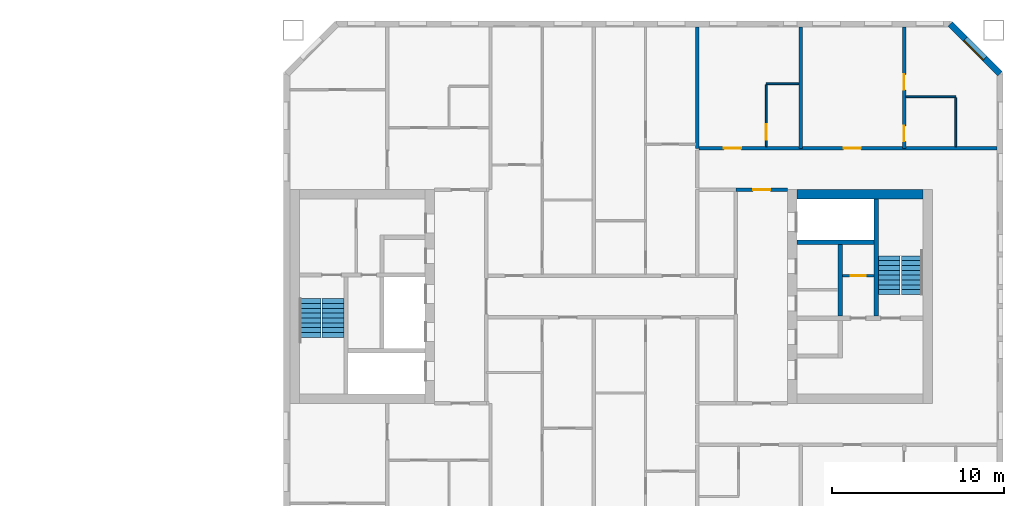
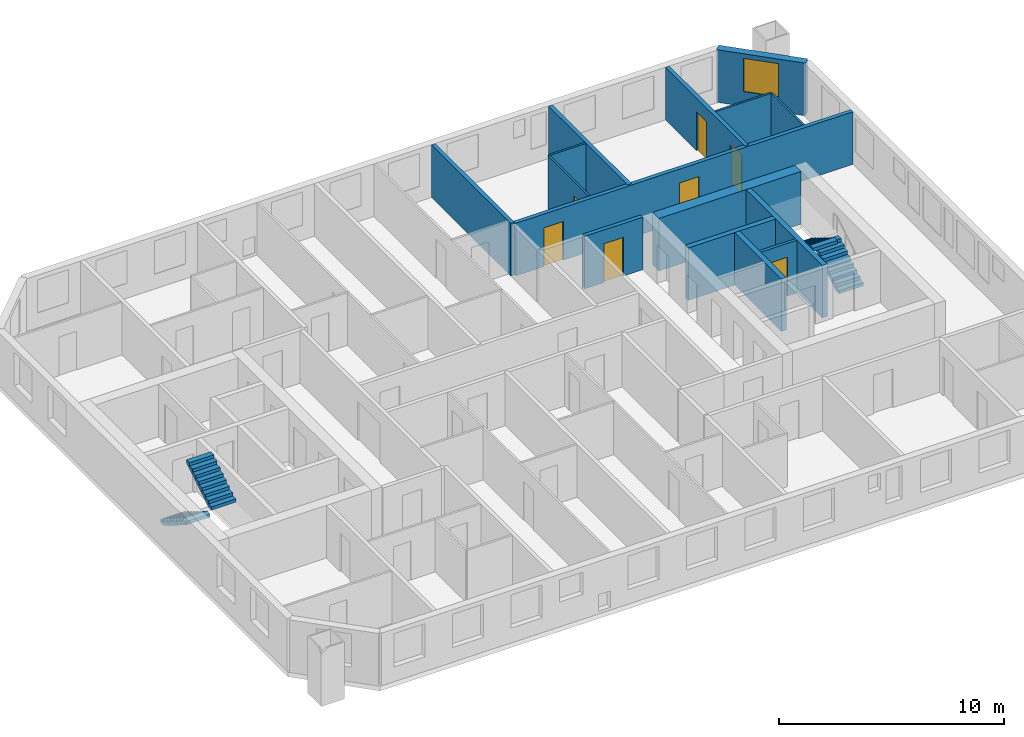
# One storey, part 14 of 16: 15 walls, 7 doors, 4 stair flights, 1 window, 8 openings, 2 elements without a shape of their own.
"""IFC4 building model written with IfcOpenShell, lengths in metres."""

from ifc_helpers import new_model, si_unit, direction, frame, frame_2d, origin, place, context, subcontext, project, spatial, polyline, rectangle, outline, extrude, material, layer, layer_set, type_object, element, fill, aggregate, save


model = new_model("IFC4")

# Units and contexts
model_context = context("Model", 3, precision=1e-05, world=origin(), true_north=direction((0.0, 1.0)))
body_context = subcontext(model_context, "Body", "Model", "MODEL_VIEW")
ifc_project = project(units=[si_unit("LENGTHUNIT", "METRE"), si_unit("AREAUNIT", "SQUARE_METRE"), si_unit("VOLUMEUNIT", "CUBIC_METRE"), si_unit("PLANEANGLEUNIT", "RADIAN"), si_unit("MASSUNIT", "GRAM", prefix="KILO")], contexts=[model_context])

# Site, building, storey
site_placement = place(None, origin())
site = spatial("IfcSite", under=ifc_project, at=site_placement, CompositionType="ELEMENT")
building_placement = place(site_placement, origin())
building = spatial("IfcBuilding", under=site, at=building_placement, Name="Tuart Gate Housing", CompositionType="ELEMENT")
storey_placement = place(building_placement, frame((0.0, 0.0, 133.0)))
storey = spatial("IfcBuildingStorey", under=building, at=storey_placement, Name="L37", CompositionType="ELEMENT", Elevation=133.0)

# Wall, opening, window
ifc_material_1 = material(Name="Brick", Category="masonry")
ifc_layer_1 = layer(ifc_material_1, 0.360107421875)
ifc_layer_set_1 = layer_set([ifc_layer_1], Name="Brick pier and spandrel wall 360")
wall_type_1 = type_object("IfcWallType", Name="Brick pier and spandrel wall 360", PredefinedType="STANDARD", material=ifc_layer_set_1)
wall_1_placement = place(storey_placement, frame((172.570068359375, 82.92529296875, 0.0), z_axis=(0.0, 0.0, 1.0), x_axis=(-0.707106781187, 0.707106781187, 0.0)))
wall_1 = element("IfcWall", 1, at=wall_1_placement, inside=storey, type_object=wall_type_1, Name="External wall B-NE L37", PredefinedType="STANDARD", context=body_context, shape_type="SweptSolid", body=[
    extrude(rectangle(XDim=4.09375, YDim=0.360107421875, at=frame_2d((2.046875, 0.0))), origin(), (0.0, 0.0, 1.0), 2.85009765625),
])
opening_1_placement = place(wall_1_placement, frame((1.2470703125, 0.0, 0.800048828125)))
opening_1 = element("IfcOpeningElement", 2, at=opening_1_placement, cuts=wall_1, Name="Opening W1", PredefinedType="OPENING", context=body_context, shape_type="SweptSolid", body=[
    extrude(rectangle(XDim=1.60009765625, YDim=1.800048828125, at=frame_2d((0.800048828125, 0.89990234375))), frame((0.0, 0.18994140625, 0.0), z_axis=(0.0, -1.0, 0.0), x_axis=(1.0, 0.0, 0.0)), (0.0, 0.0, 1.0), 0.380126953125),
])
ifc_material_2 = material(Name="Aluminium frame with clear glass", Category="aluminium")
window_type = type_object("IfcWindowType", Name="Punched window 1600 x 1800", PartitioningType="SINGLE_PANEL", PredefinedType="WINDOW", material=ifc_material_2)
window_placement = place(opening_1_placement, origin())
window = element("IfcWindow", 3, at=window_placement, inside=storey, type_object=window_type, Name="Window W1", OverallHeight=1.800048828125, OverallWidth=1.60009765625, PartitioningType="SINGLE_PANEL", PredefinedType="WINDOW", context=body_context, shape_type="SweptSolid", body=[
    extrude(rectangle(XDim=1.60009765625, YDim=1.800048828125, at=frame_2d((0.800048828125, 0.89990234375))), frame((0.0, 0.150146484375, 0.0), z_axis=(0.0, -1.0, 0.0), x_axis=(1.0, 0.0, 0.0)), (0.0, 0.0, 1.0), 0.06005859375),
])
fill(opening_1, window)

# Wall, opening, door
ifc_material_3 = material(Name="Plasterboard partition")
ifc_layer_2 = layer(ifc_material_3, 0.14990234375)
ifc_layer_set_2 = layer_set([ifc_layer_2], Name="Core partition 150")
wall_type_2 = type_object("IfcWallType", Name="Core partition 150", PredefinedType="PARTITIONING", material=ifc_layer_set_2)
wall_2_placement = place(storey_placement, frame((163.4150390625, 71.199951171875, 0.0), z_axis=(0.0, 0.0, 1.0), x_axis=(1.0, 0.0, 0.0)))
wall_2 = element("IfcWall", 4, at=wall_2_placement, inside=storey, type_object=wall_type_2, Name="Core partition BK.2", PredefinedType="PARTITIONING", context=body_context, shape_type="SweptSolid", body=[
    extrude(rectangle(XDim=1.849853515625, YDim=0.14990234375, at=frame_2d((0.9248046875, 0.0))), origin(), (0.0, 0.0, 1.0), 2.85009765625),
])
opening_2_placement = place(wall_2_placement, frame((0.5, 0.0, 0.0)))
opening_2 = element("IfcOpeningElement", 5, at=opening_2_placement, cuts=wall_2, Name="Opening D1486", PredefinedType="OPENING", context=body_context, shape_type="SweptSolid", body=[
    extrude(rectangle(XDim=0.85009765625, YDim=2.10009765625, at=frame_2d((0.425048828125, 1.050048828125))), frame((0.0, 0.0849609375, 0.0), z_axis=(0.0, -1.0, 0.0), x_axis=(1.0, 0.0, 0.0)), (0.0, 0.0, 1.0), 0.169921875),
])
ifc_material_4 = material(Name="Steel fire door", Category="steel")
door_type_1 = type_object("IfcDoorType", Name="Service door 850 x 2100 RH", OperationType="SINGLE_SWING_RIGHT", PredefinedType="DOOR", material=ifc_material_4)
door_1_placement = place(opening_2_placement, frame((0.85009765625, 0.0, 0.0), z_axis=(0.0, 0.0, 1.0), x_axis=(-1.0, 0.0, 0.0)))
door_1 = element("IfcDoor", 6, at=door_1_placement, inside=storey, type_object=door_type_1, Name="Service room door BK.W2", OperationType="SINGLE_SWING_RIGHT", OverallHeight=2.10009765625, OverallWidth=0.85009765625, PredefinedType="DOOR", context=body_context, shape_type="SweptSolid", body=[
    extrude(rectangle(XDim=0.85009765625, YDim=2.10009765625, at=frame_2d((0.425048828125, 1.050048828125))), frame((0.0, 0.025146484375, 0.0), z_axis=(0.0, -1.0, 0.0), x_axis=(1.0, 0.0, 0.0)), (0.0, 0.0, 1.0), 0.050048828125),
])
fill(opening_2, door_1)

# Walls
ifc_material_5 = material(Name="Concrete C50", Category="concrete")
ifc_layer_3 = layer(ifc_material_5, 0.25)
ifc_layer_set_3 = layer_set([ifc_layer_3], Name="Core wall 250 C50")
wall_type_3 = type_object("IfcWallType", Name="Core wall 250 C50", PredefinedType="SHEAR", material=ifc_layer_set_3)
wall_3_placement = place(storey_placement, frame((160.7900390625, 73.14990234375, 0.0), z_axis=(0.0, 0.0, 1.0), x_axis=(1.0, 0.0, 0.0)))
element("IfcWall", 7, at=wall_3_placement, inside=storey, type_object=wall_type_3, Name="Core wall BK.1", PredefinedType="SHEAR", context=body_context, shape_type="SweptSolid", body=[
    extrude(rectangle(XDim=4.474853515625, YDim=0.25, at=frame_2d((2.2373046875, 0.0))), origin(), (0.0, 0.0, 1.0), 2.85009765625),
])
wall_4_placement = place(storey_placement, frame((163.2900390625, 73.02490234375, 0.0), z_axis=(0.0, 0.0, 1.0), x_axis=(0.0, -1.0, 0.0)))
element("IfcWall", 8, at=wall_4_placement, inside=storey, type_object=wall_type_3, Name="Core wall BK.6", PredefinedType="SHEAR", context=body_context, shape_type="SweptSolid", body=[
    extrude(rectangle(XDim=4.14990234375, YDim=0.25, at=frame_2d((2.074951171875, 0.0))), origin(), (0.0, 0.0, 1.0), 2.85009765625),
])
wall_5_placement = place(storey_placement, frame((165.389892578125, 75.64990234375, 0.0), z_axis=(0.0, 0.0, 1.0), x_axis=(0.0, -1.0, 0.0)))
element("IfcWall", 9, at=wall_5_placement, inside=storey, type_object=wall_type_3, Name="Core wall BK.8", PredefinedType="SHEAR", context=body_context, shape_type="SweptSolid", body=[
    extrude(rectangle(XDim=6.77490234375, YDim=0.25, at=frame_2d((3.387451171875, 0.0))), origin(), (0.0, 0.0, 1.0), 2.85009765625),
])
ifc_material_6 = material(Name="Concrete C50", Category="concrete")
ifc_layer_4 = layer(ifc_material_6, 0.550048828125)
ifc_layer_set_4 = layer_set([ifc_layer_4], Name="Core wall 550 C50")
wall_type_4 = type_object("IfcWallType", Name="Core wall 550 C50", PredefinedType="SHEAR", material=ifc_layer_set_4)
wall_6_placement = place(storey_placement, frame((160.7900390625, 75.925048828125, 0.0), z_axis=(0.0, 0.0, 1.0), x_axis=(1.0, 0.0, 0.0)))
element("IfcWall", 10, at=wall_6_placement, inside=storey, type_object=wall_type_4, Name="Core wall BK south", PredefinedType="SHEAR", context=body_context, shape_type="SweptSolid", body=[
    extrude(rectangle(XDim=7.300048828125, YDim=0.550048828125, at=frame_2d((3.64990234375, 0.0))), origin(), (0.0, 0.0, 1.0), 2.85009765625),
])

# Wall, openings, doors
ifc_material_7 = material(Name="Concrete masonry 15 MPa", Category="masonry")
ifc_layer_5 = layer(ifc_material_7, 0.199951171875)
ifc_layer_set_5 = layer_set([ifc_layer_5], Name="Corridor wall masonry 200")
wall_type_5 = type_object("IfcWallType", Name="Corridor wall masonry 200", PredefinedType="PARTITIONING", material=ifc_layer_set_5)
wall_7_placement = place(storey_placement, frame((155.10009765625, 78.60009765625, 0.0), z_axis=(0.0, 0.0, 1.0), x_axis=(1.0, 0.0, 0.0)))
wall_7 = element("IfcWall", 11, at=wall_7_placement, inside=storey, type_object=wall_type_5, Name="Corridor wall masonry 200", PredefinedType="PARTITIONING", context=body_context, shape_type="SweptSolid", body=[
    extrude(rectangle(XDim=17.289794921875, YDim=0.199951171875, at=frame_2d((8.64501953125, 0.0))), origin(), (0.0, 0.0, 1.0), 2.85009765625),
])
opening_3_placement = place(wall_7_placement, frame((1.449951171875, 0.0, 0.0)))
opening_3 = element("IfcOpeningElement", 12, at=opening_3_placement, cuts=wall_7, Name="Opening D1472", PredefinedType="OPENING", context=body_context, shape_type="SweptSolid", body=[
    extrude(rectangle(XDim=1.0, YDim=2.10009765625, at=frame_2d((0.5, 1.050048828125))), frame((0.0, 0.10986328125, 0.0), z_axis=(0.0, -1.0, 0.0), x_axis=(1.0, 0.0, 0.0)), (0.0, 0.0, 1.0), 0.219970703125),
])
opening_4_placement = place(wall_7_placement, frame((8.39990234375, 0.0, 0.0)))
opening_4 = element("IfcOpeningElement", 13, at=opening_4_placement, cuts=wall_7, Name="Opening D1473", PredefinedType="OPENING", context=body_context, shape_type="SweptSolid", body=[
    extrude(rectangle(XDim=1.0, YDim=2.10009765625, at=frame_2d((0.5, 1.050048828125))), frame((0.0, 0.10986328125, 0.0), z_axis=(0.0, -1.0, 0.0), x_axis=(1.0, 0.0, 0.0)), (0.0, 0.0, 1.0), 0.219970703125),
])
ifc_material_8 = material(Name="Timber door leaf in steel frame", Category="steel")
door_type_2 = type_object("IfcDoorType", Name="Flat entrance door 1000", OperationType="SINGLE_SWING_LEFT", PredefinedType="DOOR", material=ifc_material_8)
door_2_placement = place(opening_4_placement, origin())
door_2 = element("IfcDoor", 14, at=door_2_placement, inside=storey, type_object=door_type_2, Name="Flat entrance door", OperationType="SINGLE_SWING_LEFT", OverallHeight=2.10009765625, OverallWidth=1.0, PredefinedType="DOOR", context=body_context, shape_type="SweptSolid", body=[
    extrude(rectangle(XDim=1.0, YDim=2.10009765625, at=frame_2d((0.5, 1.050048828125))), frame((0.0, 0.02490234375, 0.0), z_axis=(0.0, -1.0, 0.0), x_axis=(1.0, 0.0, 0.0)), (0.0, 0.0, 1.0), 0.050048828125),
])
fill(opening_4, door_2)
ifc_material_9 = material(Name="Timber door leaf in steel frame", Category="steel")
door_type_3 = type_object("IfcDoorType", Name="Flat entrance door 1000 RH", OperationType="SINGLE_SWING_RIGHT", PredefinedType="DOOR", material=ifc_material_9)
door_3_placement = place(opening_3_placement, origin())
door_3 = element("IfcDoor", 15, at=door_3_placement, inside=storey, type_object=door_type_3, Name="Flat entrance door", OperationType="SINGLE_SWING_RIGHT", OverallHeight=2.10009765625, OverallWidth=1.0, PredefinedType="DOOR", context=body_context, shape_type="SweptSolid", body=[
    extrude(rectangle(XDim=1.0, YDim=2.10009765625, at=frame_2d((0.5, 1.050048828125))), frame((0.0, 0.02490234375, 0.0), z_axis=(0.0, -1.0, 0.0), x_axis=(1.0, 0.0, 0.0)), (0.0, 0.0, 1.0), 0.050048828125),
])
fill(opening_3, door_3)

# Wall, opening, door
ifc_material_10 = material(Name="Concrete masonry 15 MPa", Category="masonry")
ifc_layer_6 = layer(ifc_material_10, 0.199951171875)
ifc_layer_set_6 = layer_set([ifc_layer_6], Name="Enclosure wall masonry 200")
wall_type_6 = type_object("IfcWallType", Name="Enclosure wall masonry 200", PredefinedType="PARTITIONING", material=ifc_layer_set_6)
wall_8_placement = place(storey_placement, frame((157.239990234375, 76.199951171875, 0.0), z_axis=(0.0, 0.0, 1.0), x_axis=(1.0, 0.0, 0.0)))
wall_8 = element("IfcWall", 16, at=wall_8_placement, inside=storey, type_object=wall_type_6, Name="Enclosure wall masonry 200", PredefinedType="PARTITIONING", context=body_context, shape_type="SweptSolid", body=[
    extrude(rectangle(XDim=3.0, YDim=0.199951171875, at=frame_2d((1.5, 0.0))), origin(), (0.0, 0.0, 1.0), 2.85009765625),
])
opening_5_placement = place(wall_8_placement, frame((1.0, 0.0, 0.0)))
opening_5 = element("IfcOpeningElement", 17, at=opening_5_placement, cuts=wall_8, Name="Opening D1480", PredefinedType="OPENING", context=body_context, shape_type="SweptSolid", body=[
    extrude(rectangle(XDim=1.0, YDim=2.10009765625, at=frame_2d((0.5, 1.050048828125))), frame((0.0, 0.10986328125, 0.0), z_axis=(0.0, -1.0, 0.0), x_axis=(1.0, 0.0, 0.0)), (0.0, 0.0, 1.0), 0.219970703125),
])
ifc_material_11 = material(Name="Timber door leaf in steel frame", Category="steel")
door_type_4 = type_object("IfcDoorType", Name="Fire door 1000", OperationType="SINGLE_SWING_LEFT", PredefinedType="DOOR", material=ifc_material_11)
door_4_placement = place(opening_5_placement, origin())
door_4 = element("IfcDoor", 18, at=door_4_placement, inside=storey, type_object=door_type_4, Name="Fire door", OperationType="SINGLE_SWING_LEFT", OverallHeight=2.10009765625, OverallWidth=1.0, PredefinedType="DOOR", context=body_context, shape_type="SweptSolid", body=[
    extrude(rectangle(XDim=1.0, YDim=2.10009765625, at=frame_2d((0.5, 1.050048828125))), frame((0.0, 0.02490234375, 0.0), z_axis=(0.0, -1.0, 0.0), x_axis=(1.0, 0.0, 0.0)), (0.0, 0.0, 1.0), 0.050048828125),
])
fill(opening_5, door_4)

# Walls
ifc_material_12 = material(Name="Gypsum board on steel studs", Category="steel")
ifc_layer_7 = layer(ifc_material_12, 0.10009765625)
ifc_layer_set_7 = layer_set([ifc_layer_7], Name="Partition 100")
wall_type_7 = type_object("IfcWallType", Name="Partition 100", PredefinedType="PARTITIONING", material=ifc_layer_set_7)
wall_9_placement = place(storey_placement, frame((167.10009765625, 81.60009765625, 0.0), z_axis=(0.0, 0.0, 1.0), x_axis=(1.0, 0.0, 0.0)))
element("IfcWall", 19, at=wall_9_placement, inside=storey, type_object=wall_type_7, Name="Partition 100", PredefinedType="PARTITIONING", context=body_context, shape_type="SweptSolid", body=[
    extrude(rectangle(XDim=2.89990234375, YDim=0.10009765625, at=frame_2d((1.449951171875, 0.0))), origin(), (0.0, 0.0, 1.0), 2.85009765625),
])
wall_10_placement = place(storey_placement, frame((159.0, 82.35009765625, 0.0), z_axis=(0.0, 0.0, 1.0), x_axis=(1.0, 0.0, 0.0)))
element("IfcWall", 20, at=wall_10_placement, inside=storey, type_object=wall_type_7, Name="Partition 100", PredefinedType="PARTITIONING", context=body_context, shape_type="SweptSolid", body=[
    extrude(rectangle(XDim=1.89990234375, YDim=0.10009765625, at=frame_2d((0.949951171875, 0.0))), origin(), (0.0, 0.0, 1.0), 2.85009765625),
])

# Wall, opening, door
wall_11_placement = place(storey_placement, frame((159.0, 78.699951171875, 0.0), z_axis=(0.0, 0.0, 1.0), x_axis=(0.0, 1.0, 0.0)))
wall_11 = element("IfcWall", 21, at=wall_11_placement, inside=storey, type_object=wall_type_7, Name="Partition 100", PredefinedType="PARTITIONING", context=body_context, shape_type="SweptSolid", body=[
    extrude(rectangle(XDim=3.60009765625, YDim=0.10009765625, at=frame_2d((1.800048828125, 0.0))), origin(), (0.0, 0.0, 1.0), 2.85009765625),
])
opening_6_placement = place(wall_11_placement, frame((0.39990234375, 0.0, 0.0)))
opening_6 = element("IfcOpeningElement", 22, at=opening_6_placement, cuts=wall_11, Name="Opening D1468", PredefinedType="OPENING", context=body_context, shape_type="SweptSolid", body=[
    extrude(rectangle(XDim=0.89990234375, YDim=2.10009765625, at=frame_2d((0.449951171875, 1.050048828125))), frame((0.0, 0.06005859375, 0.0), z_axis=(0.0, -1.0, 0.0), x_axis=(1.0, 0.0, 0.0)), (0.0, 0.0, 1.0), 0.1201171875),
])
ifc_material_13 = material(Name="Timber door leaf in steel frame", Category="steel")
door_type_5 = type_object("IfcDoorType", Name="Bathroom door 900 RH", OperationType="SINGLE_SWING_RIGHT", PredefinedType="DOOR", material=ifc_material_13)
door_5_placement = place(opening_6_placement, frame((0.89990234375, 0.0, 0.0), z_axis=(0.0, 0.0, 1.0), x_axis=(-1.0, 0.0, 0.0)))
door_5 = element("IfcDoor", 23, at=door_5_placement, inside=storey, type_object=door_type_5, Name="Bathroom door", OperationType="SINGLE_SWING_RIGHT", OverallHeight=2.10009765625, OverallWidth=0.89990234375, PredefinedType="DOOR", context=body_context, shape_type="SweptSolid", body=[
    extrude(rectangle(XDim=0.89990234375, YDim=2.10009765625, at=frame_2d((0.449951171875, 1.050048828125))), frame((0.0, 0.025146484375, 0.0), z_axis=(0.0, -1.0, 0.0), x_axis=(1.0, 0.0, 0.0)), (0.0, 0.0, 1.0), 0.050048828125),
])
fill(opening_6, door_5)

# Walls
wall_12_placement = place(storey_placement, frame((170.0, 78.699951171875, 0.0), z_axis=(0.0, 0.0, 1.0), x_axis=(0.0, 1.0, 0.0)))
element("IfcWall", 24, at=wall_12_placement, inside=storey, type_object=wall_type_7, Name="Partition 100", PredefinedType="PARTITIONING", context=body_context, shape_type="SweptSolid", body=[
    extrude(rectangle(XDim=2.85009765625, YDim=0.10009765625, at=frame_2d((1.425048828125, 0.0))), origin(), (0.0, 0.0, 1.0), 2.85009765625),
])
ifc_material_14 = material(Name="Concrete C40", Category="concrete")
ifc_layer_8 = layer(ifc_material_14, 0.199951171875)
ifc_layer_set_8 = layer_set([ifc_layer_8], Name="Party wall concrete C40 200")
wall_type_8 = type_object("IfcWallType", Name="Party wall concrete C40 200", PredefinedType="SOLIDWALL", material=ifc_layer_set_8)
for number, where, z_axis, x_axis, name in (
    (25, (155.0, 78.60009765625, 0.0), (0.0, 0.0, 1.0), (0.0, 1.0, 0.0), "Party wall concrete C40 200"),
    (26, (161.0, 78.60009765625, 0.0), (0.0, 0.0, 1.0), (0.0, 1.0, 0.0), "Party wall concrete C40 200"),
):
    element("IfcWall", number, at=place(storey_placement, frame(where, z_axis=z_axis, x_axis=x_axis)), inside=storey, type_object=wall_type_8, Name=name, PredefinedType="SOLIDWALL", context=body_context, shape_type="SweptSolid", body=[
        extrude(rectangle(XDim=7.039794921875, YDim=0.199951171875, at=frame_2d((3.52001953125, 0.0))), origin(), (0.0, 0.0, 1.0), 2.85009765625),
    ])

# Wall, openings, doors
wall_13_placement = place(storey_placement, frame((167.0, 78.60009765625, 0.0), z_axis=(0.0, 0.0, 1.0), x_axis=(0.0, 1.0, 0.0)))
wall_13 = element("IfcWall", 27, at=wall_13_placement, inside=storey, type_object=wall_type_8, Name="Party wall concrete C40 200", PredefinedType="SOLIDWALL", context=body_context, shape_type="SweptSolid", body=[
    extrude(rectangle(XDim=7.039794921875, YDim=0.199951171875, at=frame_2d((3.52001953125, 0.0))), origin(), (0.0, 0.0, 1.0), 2.85009765625),
])
opening_7_placement = place(wall_13_placement, frame((3.39990234375, 0.0, 0.0)))
opening_7 = element("IfcOpeningElement", 28, at=opening_7_placement, cuts=wall_13, Name="Opening D1465", PredefinedType="OPENING", context=body_context, shape_type="SweptSolid", body=[
    extrude(rectangle(XDim=0.89990234375, YDim=2.10009765625, at=frame_2d((0.449951171875, 1.050048828125))), frame((0.0, 0.10986328125, 0.0), z_axis=(0.0, -1.0, 0.0), x_axis=(1.0, 0.0, 0.0)), (0.0, 0.0, 1.0), 0.219970703125),
])
opening_8_placement = place(wall_13_placement, frame((0.39990234375, 0.0, 0.0)))
opening_8 = element("IfcOpeningElement", 29, at=opening_8_placement, cuts=wall_13, Name="Opening D1464", PredefinedType="OPENING", context=body_context, shape_type="SweptSolid", body=[
    extrude(rectangle(XDim=0.89990234375, YDim=2.10009765625, at=frame_2d((0.449951171875, 1.050048828125))), frame((0.0, 0.10986328125, 0.0), z_axis=(0.0, -1.0, 0.0), x_axis=(1.0, 0.0, 0.0)), (0.0, 0.0, 1.0), 0.219970703125),
])
door_6_placement = place(opening_8_placement, frame((0.89990234375, 0.0, 0.0), z_axis=(0.0, 0.0, 1.0), x_axis=(-1.0, 0.0, 0.0)))
door_6 = element("IfcDoor", 30, at=door_6_placement, inside=storey, type_object=door_type_5, Name="Bathroom door", OperationType="SINGLE_SWING_RIGHT", OverallHeight=2.10009765625, OverallWidth=0.89990234375, PredefinedType="DOOR", context=body_context, shape_type="SweptSolid", body=[
    extrude(rectangle(XDim=0.89990234375, YDim=2.10009765625, at=frame_2d((0.449951171875, 1.050048828125))), frame((0.0, 0.025146484375, 0.0), z_axis=(0.0, -1.0, 0.0), x_axis=(1.0, 0.0, 0.0)), (0.0, 0.0, 1.0), 0.050048828125),
])
fill(opening_8, door_6)
ifc_material_15 = material(Name="Timber door leaf in steel frame", Category="steel")
door_type_6 = type_object("IfcDoorType", Name="Internal door 900 RH", OperationType="SINGLE_SWING_RIGHT", PredefinedType="DOOR", material=ifc_material_15)
door_7_placement = place(opening_7_placement, frame((0.89990234375, 0.0, 0.0), z_axis=(0.0, 0.0, 1.0), x_axis=(-1.0, 0.0, 0.0)))
door_7 = element("IfcDoor", 31, at=door_7_placement, inside=storey, type_object=door_type_6, Name="Internal door", OperationType="SINGLE_SWING_RIGHT", OverallHeight=2.10009765625, OverallWidth=0.89990234375, PredefinedType="DOOR", context=body_context, shape_type="SweptSolid", body=[
    extrude(rectangle(XDim=0.89990234375, YDim=2.10009765625, at=frame_2d((0.449951171875, 1.050048828125))), frame((0.0, 0.025146484375, 0.0), z_axis=(0.0, -1.0, 0.0), x_axis=(1.0, 0.0, 0.0)), (0.0, 0.0, 1.0), 0.050048828125),
])
fill(opening_7, door_7)

# Stair, stair flights
ifc_material_16 = material(Name="Concrete C40", Category="concrete")
stair_type = type_object("IfcStairType", Name="Core stair 1250", PredefinedType="HALF_TURN_STAIR", material=ifc_material_16)
stair_1_placement = place(storey_placement, origin())
stair_1 = element("IfcStair", 32, at=stair_1_placement, inside=storey, type_object=stair_type, Name="Stair SB1", PredefinedType="HALF_TURN_STAIR")
ifc_material_17 = material(Name="Concrete C40", Category="concrete")
stair_flight_type = type_object("IfcStairFlightType", Name="Stair flight 1250, 9 risers 172 x 280", PredefinedType="STRAIGHT", material=ifc_material_17)
stair_flight_1_placement = place(storey_placement, frame((132.534912109375, 69.875, 0.0), z_axis=(0.0, 0.0, 1.0), x_axis=(0.0, -1.0, 0.0)))
stair_flight_1 = element("IfcStairFlight", 33, at=stair_flight_1_placement, type_object=stair_flight_type, Name="SB1 flight 1", NumberOfRisers=9, NumberOfTreads=8, PredefinedType="STRAIGHT", RiserHeight=0.172222222, TreadLength=0.28, context=body_context, shape_type="SweptSolid", body=[
    extrude(outline(polyline([(0.0, 0.0), (0.0, 0.172119140625), (0.280029296875, 0.172119140625), (0.280029296875, 0.344482421875), (0.56005859375, 0.344482421875), (0.56005859375, 0.5166015625), (0.840087890625, 0.5166015625), (0.840087890625, 0.68896484375), (1.1201171875, 0.68896484375), (1.1201171875, 0.861083984375), (1.39990234375, 0.861083984375), (1.39990234375, 1.033447265625), (1.679931640625, 1.033447265625), (1.679931640625, 1.20556640625), (1.9599609375, 1.20556640625), (1.9599609375, 1.377685546875), (2.239990234375, 1.377685546875), (2.239990234375, 1.550048828125), (2.239990234375, 1.201904296875), (0.2861328125, 0.0), (0.0, 0.0)])), frame((0.0, 0.625, 0.0), z_axis=(0.0, -1.0, 0.0), x_axis=(1.0, 0.0, 0.0)), (0.0, 0.0, 1.0), 1.25),
])
stair_flight_2_placement = place(storey_placement, frame((133.860107421875, 67.635009765625, 1.550048828125), z_axis=(0.0, 0.0, 1.0), x_axis=(0.0, 1.0, 0.0)))
stair_flight_2 = element("IfcStairFlight", 34, at=stair_flight_2_placement, type_object=stair_flight_type, Name="SB1 flight 2", NumberOfRisers=9, NumberOfTreads=8, PredefinedType="STRAIGHT", RiserHeight=0.172222222, TreadLength=0.28, context=body_context, shape_type="SweptSolid", body=[
    extrude(outline(polyline([(0.0, 0.0), (0.0, 0.172119140625), (0.280029296875, 0.172119140625), (0.280029296875, 0.344482421875), (0.56005859375, 0.344482421875), (0.56005859375, 0.5166015625), (0.840087890625, 0.5166015625), (0.840087890625, 0.68896484375), (1.1201171875, 0.68896484375), (1.1201171875, 0.861083984375), (1.39990234375, 0.861083984375), (1.39990234375, 1.033447265625), (1.679931640625, 1.033447265625), (1.679931640625, 1.20556640625), (1.9599609375, 1.20556640625), (1.9599609375, 1.377685546875), (2.239990234375, 1.377685546875), (2.239990234375, 1.550048828125), (2.239990234375, 1.201904296875), (0.2861328125, 0.0), (0.0, 0.0)])), frame((0.0, 0.625, 0.0), z_axis=(0.0, -1.0, 0.0), x_axis=(1.0, 0.0, 0.0)), (0.0, 0.0, 1.0), 1.25),
])
aggregate(stair_1, [stair_flight_1, stair_flight_2])

stair_2_placement = place(storey_placement, origin())
stair_2 = element("IfcStair", 35, at=stair_2_placement, inside=storey, type_object=stair_type, Name="Stair SB2", PredefinedType="HALF_TURN_STAIR")
stair_flight_3_placement = place(storey_placement, frame((167.465087890625, 70.125, 0.0), z_axis=(0.0, 0.0, 1.0), x_axis=(0.0, 1.0, 0.0)))
stair_flight_3 = element("IfcStairFlight", 36, at=stair_flight_3_placement, type_object=stair_flight_type, Name="SB2 flight 1", NumberOfRisers=9, NumberOfTreads=8, PredefinedType="STRAIGHT", RiserHeight=0.172222222, TreadLength=0.28, context=body_context, shape_type="SweptSolid", body=[
    extrude(outline(polyline([(0.0, 0.0), (0.0, 0.172119140625), (0.280029296875, 0.172119140625), (0.280029296875, 0.344482421875), (0.56005859375, 0.344482421875), (0.56005859375, 0.5166015625), (0.840087890625, 0.5166015625), (0.840087890625, 0.68896484375), (1.1201171875, 0.68896484375), (1.1201171875, 0.861083984375), (1.39990234375, 0.861083984375), (1.39990234375, 1.033447265625), (1.679931640625, 1.033447265625), (1.679931640625, 1.20556640625), (1.9599609375, 1.20556640625), (1.9599609375, 1.377685546875), (2.239990234375, 1.377685546875), (2.239990234375, 1.550048828125), (2.239990234375, 1.201904296875), (0.2861328125, 0.0), (0.0, 0.0)])), frame((0.0, 0.625, 0.0), z_axis=(0.0, -1.0, 0.0), x_axis=(1.0, 0.0, 0.0)), (0.0, 0.0, 1.0), 1.25),
])
stair_flight_4_placement = place(storey_placement, frame((166.139892578125, 72.364990234375, 1.550048828125), z_axis=(0.0, 0.0, 1.0), x_axis=(0.0, -1.0, 0.0)))
stair_flight_4 = element("IfcStairFlight", 37, at=stair_flight_4_placement, type_object=stair_flight_type, Name="SB2 flight 2", NumberOfRisers=9, NumberOfTreads=8, PredefinedType="STRAIGHT", RiserHeight=0.172222222, TreadLength=0.28, context=body_context, shape_type="SweptSolid", body=[
    extrude(outline(polyline([(0.0, 0.0), (0.0, 0.172119140625), (0.280029296875, 0.172119140625), (0.280029296875, 0.344482421875), (0.56005859375, 0.344482421875), (0.56005859375, 0.5166015625), (0.840087890625, 0.5166015625), (0.840087890625, 0.68896484375), (1.1201171875, 0.68896484375), (1.1201171875, 0.861083984375), (1.39990234375, 0.861083984375), (1.39990234375, 1.033447265625), (1.679931640625, 1.033447265625), (1.679931640625, 1.20556640625), (1.9599609375, 1.20556640625), (1.9599609375, 1.377685546875), (2.239990234375, 1.377685546875), (2.239990234375, 1.550048828125), (2.239990234375, 1.201904296875), (0.2861328125, 0.0), (0.0, 0.0)])), frame((0.0, 0.625, 0.0), z_axis=(0.0, -1.0, 0.0), x_axis=(1.0, 0.0, 0.0)), (0.0, 0.0, 1.0), 1.25),
])
aggregate(stair_2, [stair_flight_3, stair_flight_4])

save(model, "model.ifc")
